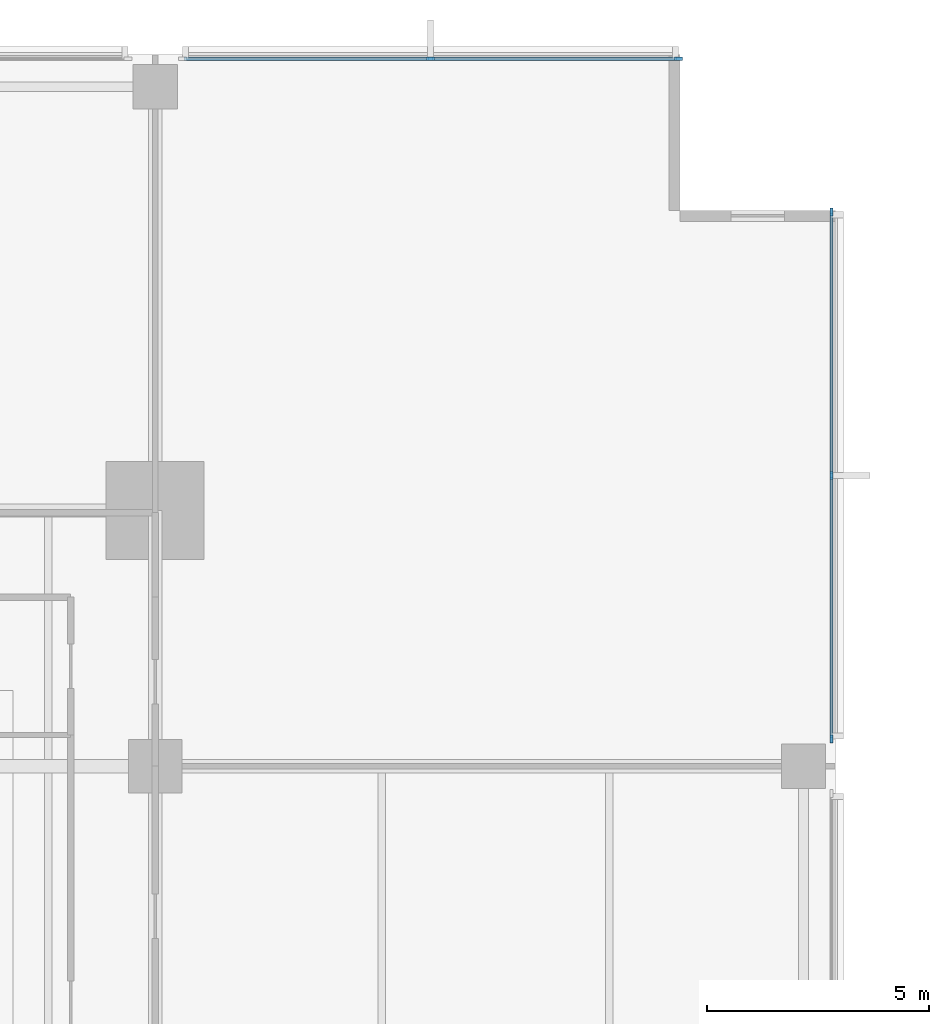
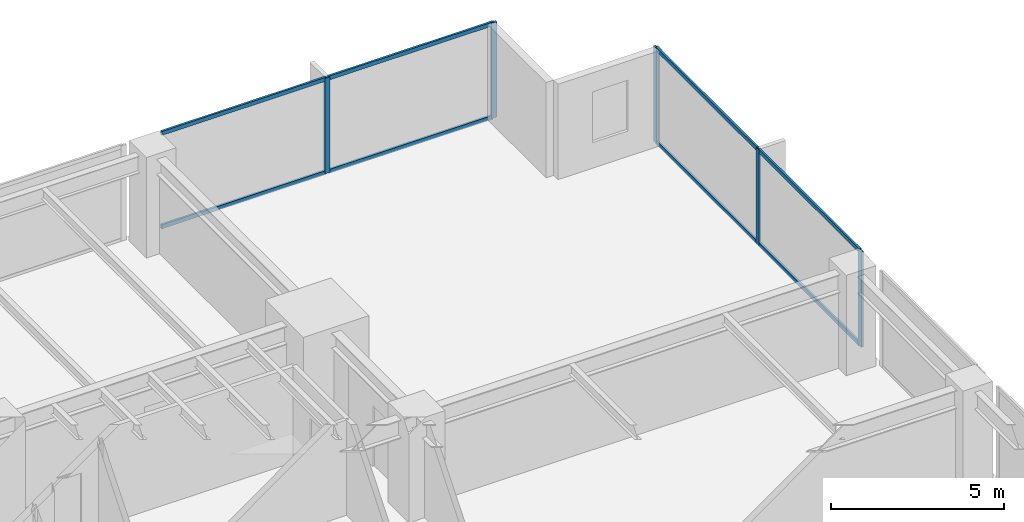
# One storey, part 6 of 15: 13 members, 2 elements without a shape of their own.
"""IFC4 building model written with IfcOpenShell, lengths in metres."""

from ifc_helpers import new_model, si_unit, direction, frame, origin, origin_2d, place, context, subcontext, project, spatial, rectangle, extrude, material, layer, layer_set, material_profile, profile_set, type_object, element, aggregate, save


model = new_model("IFC4")

# Units and contexts
model_context = context("Model", 3, precision=1e-05, world=origin(), true_north=direction((0.0, 1.0)))
body_context = subcontext(model_context, "Body", "Model", "MODEL_VIEW")
ifc_project = project(units=[si_unit("LENGTHUNIT", "METRE"), si_unit("AREAUNIT", "SQUARE_METRE"), si_unit("VOLUMEUNIT", "CUBIC_METRE"), si_unit("PLANEANGLEUNIT", "RADIAN"), si_unit("MASSUNIT", "GRAM", prefix="KILO")], contexts=[model_context])

# Site, building, storey
site_placement = place(None, origin())
site = spatial("IfcSite", under=ifc_project, at=site_placement, CompositionType="ELEMENT")
building_placement = place(site_placement, origin())
building = spatial("IfcBuilding", under=site, at=building_placement, Name="Kinhvarn Gate Tower", CompositionType="ELEMENT")
storey_placement = place(building_placement, frame((0.0, 0.0, 29.14990234375)))
storey = spatial("IfcBuildingStorey", under=building, at=storey_placement, Name="L06", CompositionType="ELEMENT", Elevation=29.14990234375)

# Curtain wall, members
ifc_material = material(Name="Anodised aluminium AW-6063", Category="aluminium")
ifc_layer = layer(ifc_material, 0.179931640625)
ifc_layer_set = layer_set([ifc_layer], Name="Anodised aluminium AW-6063")
curtain_wall_type = type_object("IfcCurtainWallType", Name="CW-SYS-2", PredefinedType="NOTDEFINED", material=ifc_layer_set)
curtain_wall_1_placement = place(storey_placement, origin())
curtain_wall_1 = element("IfcCurtainWall", 1, at=curtain_wall_1_placement, inside=storey, type_object=curtain_wall_type, Name="Curtain Wall CW2 (L06)", PredefinedType="NOTDEFINED")
ifc_material_profile_1 = material_profile(ifc_material, rectangle(XDim=0.070068359375, YDim=0.179931640625, at=origin_2d()), Name="ALU 70x180")
ifc_profile_set_1 = profile_set([ifc_material_profile_1], Name="Anodised aluminium AW-6063")
member_type_1 = type_object("IfcMemberType", Name="CW-MUL-180", PredefinedType="MULLION", material=ifc_profile_set_1)
member_1_placement = place(storey_placement, frame((49.965087890625, 47.909912109375, 0.0), z_axis=(0.0, 0.0, 1.0), x_axis=(0.0, -1.0, 0.0)))
member_1 = element("IfcMember", 2, at=member_1_placement, type_object=member_type_1, Name="CW2 mullion 1", PredefinedType="MULLION", context=body_context, shape_type="SweptSolid", body=[
    extrude(rectangle(XDim=0.070068359375, YDim=0.179931640625, at=origin_2d()), origin(), (0.0, 0.0, 1.0), 3.3701171875),
])
member_2_placement = place(storey_placement, frame((44.389892578125, 47.909912109375, 0.0), z_axis=(0.0, 0.0, 1.0), x_axis=(0.0, -1.0, 0.0)))
member_2 = element("IfcMember", 3, at=member_2_placement, type_object=member_type_1, Name="CW2 mullion 2", PredefinedType="MULLION", context=body_context, shape_type="SweptSolid", body=[
    extrude(rectangle(XDim=0.070068359375, YDim=0.179931640625, at=origin_2d()), origin(), (0.0, 0.0, 1.0), 3.3701171875),
])

curtain_wall_2_placement = place(storey_placement, origin())
curtain_wall_2 = element("IfcCurtainWall", 4, at=curtain_wall_2_placement, inside=storey, type_object=curtain_wall_type, Name="Curtain Wall CW2 (L06)", PredefinedType="NOTDEFINED")
member_3_placement = place(storey_placement, frame((53.409912109375, 32.614990234375, 0.0), z_axis=(0.0, 0.0, 1.0), x_axis=(-1.0, 0.0, 0.0)))
member_3 = element("IfcMember", 5, at=member_3_placement, type_object=member_type_1, Name="CW2 mullion 1", PredefinedType="MULLION", context=body_context, shape_type="SweptSolid", body=[
    extrude(rectangle(XDim=0.070068359375, YDim=0.179931640625, at=origin_2d()), origin(), (0.0, 0.0, 1.0), 3.3701171875),
])
member_4_placement = place(storey_placement, frame((53.409912109375, 38.5400390625, 0.0), z_axis=(0.0, 0.0, 1.0), x_axis=(-1.0, 0.0, 0.0)))
member_4 = element("IfcMember", 6, at=member_4_placement, type_object=member_type_1, Name="CW2 mullion 2", PredefinedType="MULLION", context=body_context, shape_type="SweptSolid", body=[
    extrude(rectangle(XDim=0.070068359375, YDim=0.179931640625, at=origin_2d()), origin(), (0.0, 0.0, 1.0), 3.3701171875),
])
member_5_placement = place(storey_placement, frame((53.409912109375, 44.465087890625, 0.0), z_axis=(0.0, 0.0, 1.0), x_axis=(-1.0, 0.0, 0.0)))
member_5 = element("IfcMember", 7, at=member_5_placement, type_object=member_type_1, Name="CW2 mullion 3", PredefinedType="MULLION", context=body_context, shape_type="SweptSolid", body=[
    extrude(rectangle(XDim=0.070068359375, YDim=0.179931640625, at=origin_2d()), origin(), (0.0, 0.0, 1.0), 3.3701171875),
])

# Member
ifc_material_profile_2 = material_profile(ifc_material, rectangle(XDim=0.070068359375, YDim=0.139892578125, at=origin_2d()), Name="ALU 70x140")
ifc_profile_set_2 = profile_set([ifc_material_profile_2], Name="Anodised aluminium AW-6063")
member_type_2 = type_object("IfcMemberType", Name="CW-TRN-140", PredefinedType="USERDEFINED", material=ifc_profile_set_2)
member_6_placement = place(storey_placement, frame((49.929931640625, 47.909912109375, 0.03515625), z_axis=(-1.0, 0.0, 0.0), x_axis=(0.0, -1.0, 0.0)))
member_6 = element("IfcMember", 8, at=member_6_placement, type_object=member_type_2, Name="CW2 transom 1.1", ObjectType="TRANSOM", PredefinedType="USERDEFINED", context=body_context, shape_type="SweptSolid", body=[
    extrude(rectangle(XDim=0.070068359375, YDim=0.139892578125, at=origin_2d()), origin(), (0.0, 0.0, 1.0), 5.5048828125),
])

member_7_placement = place(storey_placement, frame((49.929931640625, 47.909912109375, 3.335205078125), z_axis=(-1.0, 0.0, 0.0), x_axis=(0.0, -1.0, 0.0)))
member_7 = element("IfcMember", 9, at=member_7_placement, type_object=member_type_2, Name="CW2 transom 1.2", ObjectType="TRANSOM", PredefinedType="USERDEFINED", context=body_context, shape_type="SweptSolid", body=[
    extrude(rectangle(XDim=0.070068359375, YDim=0.139892578125, at=origin_2d()), origin(), (0.0, 0.0, 1.0), 5.5048828125),
])

member_8_placement = place(storey_placement, frame((44.35498046875, 47.909912109375, 0.03515625), z_axis=(-1.0, 0.0, 0.0), x_axis=(0.0, -1.0, 0.0)))
member_8 = element("IfcMember", 10, at=member_8_placement, type_object=member_type_2, Name="CW2 transom 2.1", ObjectType="TRANSOM", PredefinedType="USERDEFINED", context=body_context, shape_type="SweptSolid", body=[
    extrude(rectangle(XDim=0.070068359375, YDim=0.139892578125, at=origin_2d()), origin(), (0.0, 0.0, 1.0), 5.5048828125),
])

member_9_placement = place(storey_placement, frame((44.35498046875, 47.909912109375, 3.335205078125), z_axis=(-1.0, 0.0, 0.0), x_axis=(0.0, -1.0, 0.0)))
member_9 = element("IfcMember", 11, at=member_9_placement, type_object=member_type_2, Name="CW2 transom 2.2", ObjectType="TRANSOM", PredefinedType="USERDEFINED", context=body_context, shape_type="SweptSolid", body=[
    extrude(rectangle(XDim=0.070068359375, YDim=0.139892578125, at=origin_2d()), origin(), (0.0, 0.0, 1.0), 5.5048828125),
])

aggregate(curtain_wall_1, [member_1, member_2, member_6, member_7, member_8, member_9])

member_10_placement = place(storey_placement, frame((53.409912109375, 32.64990234375, 0.03515625), z_axis=(0.0, 1.0, 0.0), x_axis=(-1.0, 0.0, 0.0)))
member_10 = element("IfcMember", 12, at=member_10_placement, type_object=member_type_2, Name="CW2 transom 1.1", ObjectType="TRANSOM", PredefinedType="USERDEFINED", context=body_context, shape_type="SweptSolid", body=[
    extrude(rectangle(XDim=0.070068359375, YDim=0.139892578125, at=origin_2d()), origin(), (0.0, 0.0, 1.0), 5.85498046875),
])

member_11_placement = place(storey_placement, frame((53.409912109375, 32.64990234375, 3.335205078125), z_axis=(0.0, 1.0, 0.0), x_axis=(-1.0, 0.0, 0.0)))
member_11 = element("IfcMember", 13, at=member_11_placement, type_object=member_type_2, Name="CW2 transom 1.2", ObjectType="TRANSOM", PredefinedType="USERDEFINED", context=body_context, shape_type="SweptSolid", body=[
    extrude(rectangle(XDim=0.070068359375, YDim=0.139892578125, at=origin_2d()), origin(), (0.0, 0.0, 1.0), 5.85498046875),
])

member_12_placement = place(storey_placement, frame((53.409912109375, 38.574951171875, 0.03515625), z_axis=(0.0, 1.0, 0.0), x_axis=(-1.0, 0.0, 0.0)))
member_12 = element("IfcMember", 14, at=member_12_placement, type_object=member_type_2, Name="CW2 transom 2.1", ObjectType="TRANSOM", PredefinedType="USERDEFINED", context=body_context, shape_type="SweptSolid", body=[
    extrude(rectangle(XDim=0.070068359375, YDim=0.139892578125, at=origin_2d()), origin(), (0.0, 0.0, 1.0), 5.85498046875),
])

member_13_placement = place(storey_placement, frame((53.409912109375, 38.574951171875, 3.335205078125), z_axis=(0.0, 1.0, 0.0), x_axis=(-1.0, 0.0, 0.0)))
member_13 = element("IfcMember", 15, at=member_13_placement, type_object=member_type_2, Name="CW2 transom 2.2", ObjectType="TRANSOM", PredefinedType="USERDEFINED", context=body_context, shape_type="SweptSolid", body=[
    extrude(rectangle(XDim=0.070068359375, YDim=0.139892578125, at=origin_2d()), origin(), (0.0, 0.0, 1.0), 5.85498046875),
])

aggregate(curtain_wall_2, [member_3, member_4, member_5, member_10, member_11, member_12, member_13])

save(model, "model.ifc")
